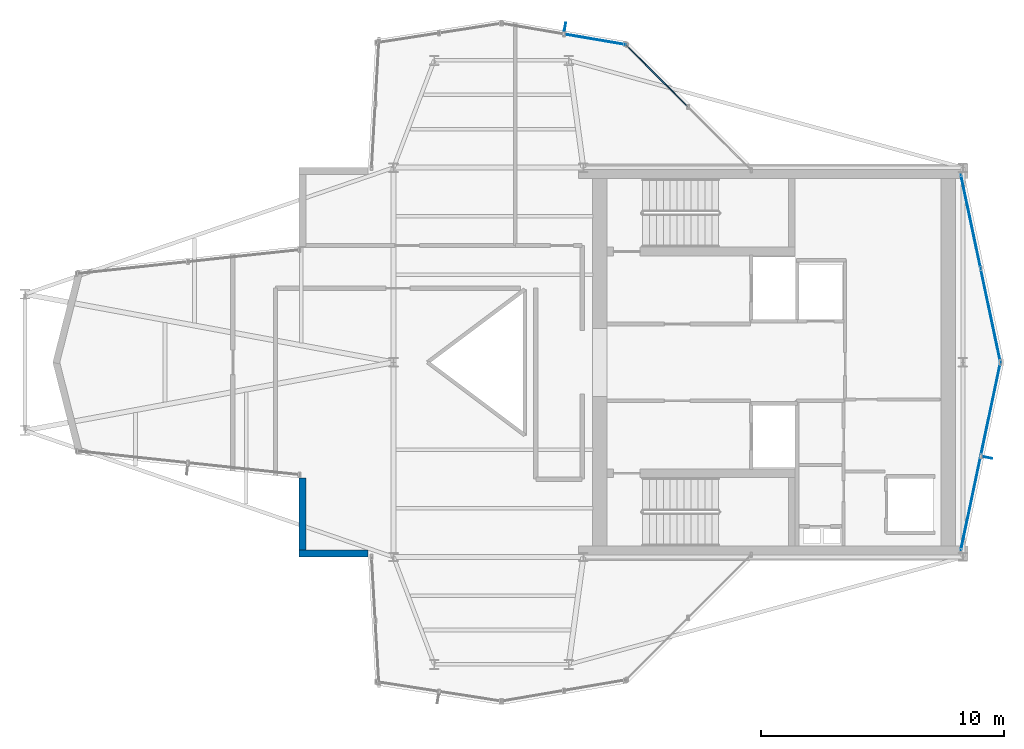
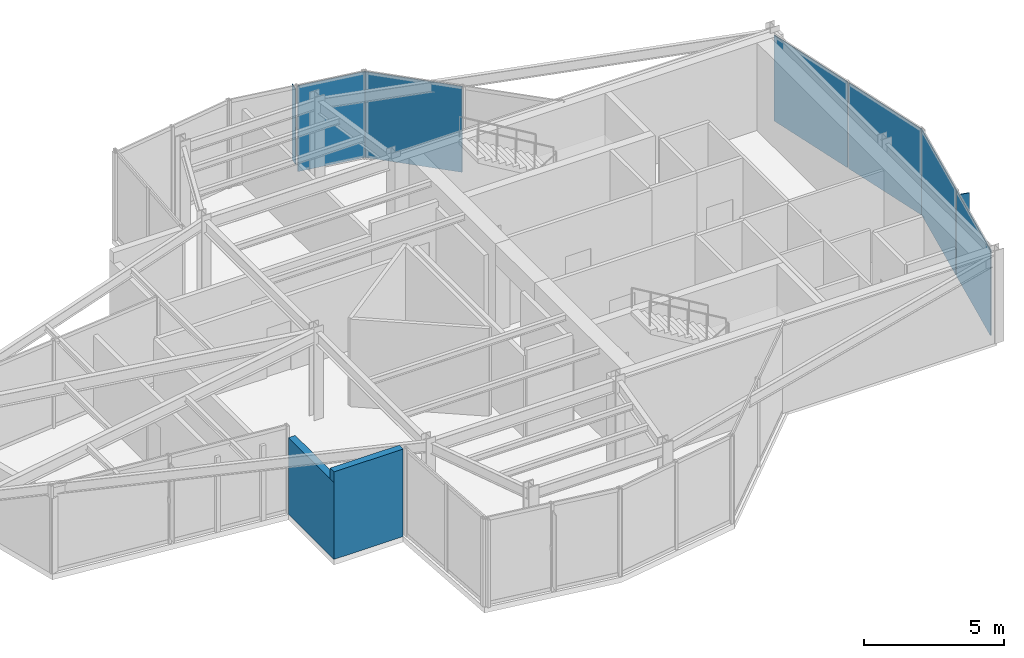
# One storey, part 10 of 13: 8 plates, 2 walls, 4 elements without a shape of their own.
"""IFC4 building model written with IfcOpenShell, lengths in metres."""

from ifc_helpers import new_model, si_unit, direction, frame, frame_2d, origin, origin_2d, place, context, subcontext, project, spatial, rectangle, extrude, material, layer, layer_set, type_object, element, aggregate, save


model = new_model("IFC4")

# Units and contexts
model_context = context("Model", 3, precision=1e-05, world=origin(), true_north=direction((0.0, 1.0)))
body_context = subcontext(model_context, "Body", "Model", "MODEL_VIEW")
ifc_project = project(units=[si_unit("LENGTHUNIT", "METRE"), si_unit("AREAUNIT", "SQUARE_METRE"), si_unit("VOLUMEUNIT", "CUBIC_METRE"), si_unit("PLANEANGLEUNIT", "RADIAN"), si_unit("MASSUNIT", "GRAM", prefix="KILO")], contexts=[model_context])

# Site, building, storey
site_placement = place(None, origin())
site = spatial("IfcSite", under=ifc_project, at=site_placement, CompositionType="ELEMENT")
building_placement = place(site_placement, origin())
building = spatial("IfcBuilding", under=site, at=building_placement, Name="Veymaron Broadcast Tower", CompositionType="ELEMENT")
storey_placement = place(building_placement, frame((0.0, 0.0, 303.300048828125)))
storey = spatial("IfcBuildingStorey", under=building, at=storey_placement, Name="L71", CompositionType="ELEMENT", Elevation=303.300048828125)

# Curtain wall, plates
ifc_material_1 = material(Name="Anodised aluminium AA 6063-T6 and laminated low-E dark glass", Category="aluminium")
ifc_layer_1 = layer(ifc_material_1, 0.179931640625)
ifc_layer_set_1 = layer_set([ifc_layer_1], Name="Anodised aluminium AA 6063-T6 and laminated low-E dark glass")
curtain_wall_type = type_object("IfcCurtainWallType", Name="CW-SYS-06", PredefinedType="NOTDEFINED", material=ifc_layer_set_1)
curtain_wall_1_placement = place(storey_placement, origin())
curtain_wall_1 = element("IfcCurtainWall", 1, at=curtain_wall_1_placement, inside=storey, type_object=curtain_wall_type, Name="L71 dark-glass curtain wall CW-L71-E2-1", PredefinedType="NOTDEFINED")
ifc_material_2 = material(Name="Insulated dark-anodised aluminium spandrel panel 40 mm", Category="aluminium")
ifc_layer_2 = layer(ifc_material_2, 0.0400390625)
ifc_layer_set_2 = layer_set([ifc_layer_2], Name="Insulated dark-anodised aluminium spandrel panel 40 mm")
plate_type_1 = type_object("IfcPlateType", Name="CW-PNL-03", PredefinedType="CURTAIN_PANEL", material=ifc_layer_set_2)
plate_1_placement = place(storey_placement, frame((54.921630859375, 18.202392578125, 0.0400390625), z_axis=(0.0, 0.0, 1.0), x_axis=(0.20651158288, 0.97844415586, 0.0)))
plate_1 = element("IfcPlate", 2, at=plate_1_placement, type_object=plate_type_1, Name="CW-L71-E2-1 unitised curtain panel 0", PredefinedType="CURTAIN_PANEL", context=body_context, shape_type="SweptSolid", body=[
    extrude(rectangle(XDim=3.909912109375, YDim=0.0400390625, at=origin_2d()), origin(), (0.0, 0.0, 1.0), 3.72998046875),
])
plate_2_placement = place(storey_placement, frame((55.741455078125, 22.0869140625, 0.0400390625), z_axis=(0.0, 0.0, 1.0), x_axis=(0.20651158288, 0.97844415586, 0.0)))
plate_2 = element("IfcPlate", 3, at=plate_2_placement, type_object=plate_type_1, Name="CW-L71-E2-1 unitised curtain panel 1", PredefinedType="CURTAIN_PANEL", context=body_context, shape_type="SweptSolid", body=[
    extrude(rectangle(XDim=3.909912109375, YDim=0.0400390625, at=origin_2d()), origin(), (0.0, 0.0, 1.0), 3.72998046875),
])
aggregate(curtain_wall_1, [plate_1, plate_2])

curtain_wall_2_placement = place(storey_placement, origin())
curtain_wall_2 = element("IfcCurtainWall", 4, at=curtain_wall_2_placement, inside=storey, type_object=curtain_wall_type, Name="L71 dark-glass curtain wall CW-L71-E3-1", PredefinedType="NOTDEFINED")
plate_3_placement = place(storey_placement, frame((55.741455078125, 25.9130859375, 0.0400390625), z_axis=(0.0, 0.0, 1.0), x_axis=(-0.20651158288, 0.97844415586, 0.0)))
plate_3 = element("IfcPlate", 5, at=plate_3_placement, type_object=plate_type_1, Name="CW-L71-E3-1 unitised curtain panel 0", PredefinedType="CURTAIN_PANEL", context=body_context, shape_type="SweptSolid", body=[
    extrude(rectangle(XDim=3.909912109375, YDim=0.0400390625, at=origin_2d()), origin(), (0.0, 0.0, 1.0), 3.72998046875),
])
plate_4_placement = place(storey_placement, frame((54.921630859375, 29.797607421875, 0.0400390625), z_axis=(0.0, 0.0, 1.0), x_axis=(-0.20651158288, 0.97844415586, 0.0)))
plate_4 = element("IfcPlate", 6, at=plate_4_placement, type_object=plate_type_1, Name="CW-L71-E3-1 unitised curtain panel 1", PredefinedType="CURTAIN_PANEL", context=body_context, shape_type="SweptSolid", body=[
    extrude(rectangle(XDim=3.909912109375, YDim=0.0400390625, at=origin_2d()), origin(), (0.0, 0.0, 1.0), 3.72998046875),
])
aggregate(curtain_wall_2, [plate_3, plate_4])

# Curtain wall, plate
curtain_wall_3_placement = place(storey_placement, origin())
curtain_wall_3 = element("IfcCurtainWall", 7, at=curtain_wall_3_placement, inside=storey, type_object=curtain_wall_type, Name="L71 dark-glass curtain wall CW-L71-E5-1", PredefinedType="NOTDEFINED")
plate_5_placement = place(storey_placement, frame((42.00830078125, 35.78955078125, 0.0400390625), z_axis=(0.0, 0.0, 1.0), x_axis=(-0.707402911339, 0.706810526965, 0.0)))
plate_5 = element("IfcPlate", 8, at=plate_5_placement, type_object=plate_type_1, Name="CW-L71-E5-1 unitised curtain panel 1", PredefinedType="CURTAIN_PANEL", context=body_context, shape_type="SweptSolid", body=[
    extrude(rectangle(XDim=3.60791015625, YDim=0.0400390625, at=origin_2d()), origin(), (0.0, 0.0, 1.0), 3.72998046875),
])
aggregate(curtain_wall_3, [plate_5])

curtain_wall_4_placement = place(storey_placement, origin())
curtain_wall_4 = element("IfcCurtainWall", 9, at=curtain_wall_4_placement, inside=storey, type_object=curtain_wall_type, Name="L71 dark-glass curtain wall CW-L71-E6-1", PredefinedType="NOTDEFINED")
plate_6_placement = place(storey_placement, frame((39.493408203125, 37.267822265625, 0.0400390625), z_axis=(0.0, 0.0, 1.0), x_axis=(-0.985697587099, 0.168523787004, 0.0)))
plate_6 = element("IfcPlate", 10, at=plate_6_placement, type_object=plate_type_1, Name="CW-L71-E6-1 unitised curtain panel 0", PredefinedType="CURTAIN_PANEL", context=body_context, shape_type="SweptSolid", body=[
    extrude(rectangle(XDim=2.56396484375, YDim=0.0400390625, at=origin_2d()), origin(), (0.0, 0.0, 1.0), 3.72998046875),
])
aggregate(curtain_wall_4, [plate_6])

# Plates
ifc_material_3 = material(Name="Dark-anodised aluminium AA 6061-T6", Category="aluminium")
ifc_layer_3 = layer(ifc_material_3, 0.030029296875)
ifc_layer_set_3 = layer_set([ifc_layer_3], Name="Dark-anodised aluminium AA 6061-T6")
plate_type_2 = type_object("IfcPlateType", Name="FIN-CHEV-02", PredefinedType="USERDEFINED", material=ifc_layer_set_3)
for number, where, z_axis, x_axis, name in (
    (11, (55.6298828125, 20.08154296875, 0.2666015625), (0.0, 0.0, 1.0), (0.97844415586, -0.20651158288, 0.0), "CW-L71-E2-1 chevron fin 1"),
    (12, (38.25146484375, 37.78955078125, 0.2666015625), (0.0, 0.0, 1.0), (0.168523787004, 0.985697587099, 0.0), "CW-L71-E6-1 chevron fin 1"),
):
    element("IfcPlate", number, at=place(storey_placement, frame(where, z_axis=z_axis, x_axis=x_axis)), inside=storey, type_object=plate_type_2, Name=name, ObjectType="FIN", PredefinedType="USERDEFINED", context=body_context, shape_type="SweptSolid", body=[
        extrude(rectangle(XDim=0.35009765625, YDim=0.034912109375, at=origin_2d()), origin(), (0.0, 0.0, 1.0), 3.276611328125),
    ])

# Walls
ifc_material_4 = material(Name="Precast concrete C40/50", Category="concrete")
ifc_layer_4 = layer(ifc_material_4, 0.280029296875)
ifc_layer_set_4 = layer_set([ifc_layer_4], Name="Precast concrete C40/50")
wall_type = type_object("IfcWallType", Name="WALL-EXT-280", PredefinedType="STANDARD", material=ifc_layer_set_4)
wall_1_placement = place(storey_placement, frame((27.45361328125, 19.239990234375, 0.0), z_axis=(0.0, 0.0, 1.0), x_axis=(0.0, -1.0, 0.0)))
element("IfcWall", 13, at=wall_1_placement, inside=storey, type_object=wall_type, Name="L71 notched corner facade pier 15-1", PredefinedType="STANDARD", context=body_context, shape_type="SweptSolid", body=[
    extrude(rectangle(XDim=3.239990234375, YDim=0.280029296875, at=frame_2d((1.6201171875, 0.0))), origin(), (0.0, 0.0, 1.0), 3.3388671875),
])
wall_2_placement = place(storey_placement, frame((27.313720703125, 16.139892578125, 0.0), z_axis=(0.0, 0.0, 1.0), x_axis=(1.0, 0.0, 0.0)))
element("IfcWall", 14, at=wall_2_placement, inside=storey, type_object=wall_type, Name="L71 notched corner facade pier 16-1", PredefinedType="STANDARD", context=body_context, shape_type="SweptSolid", body=[
    extrude(rectangle(XDim=2.84619140625, YDim=0.280029296875, at=frame_2d((1.423095703125, 0.0))), origin(), (0.0, 0.0, 1.0), 3.81005859375),
])

save(model, "model.ifc")
